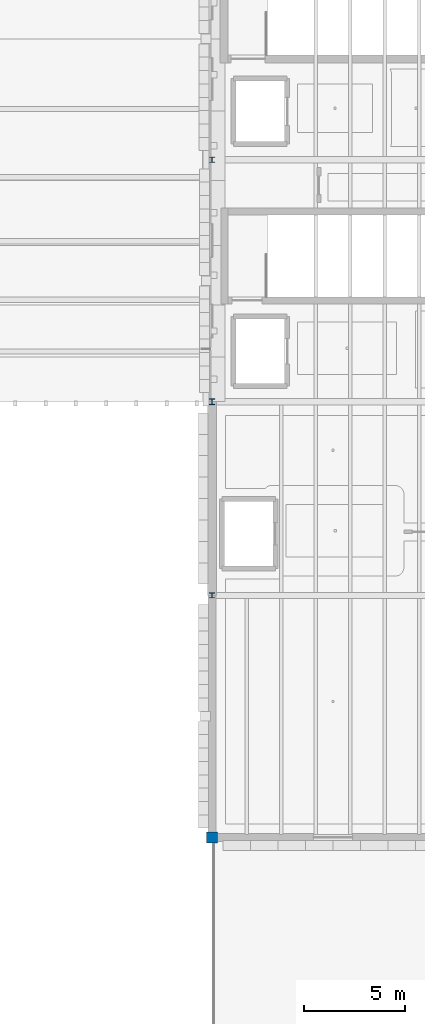
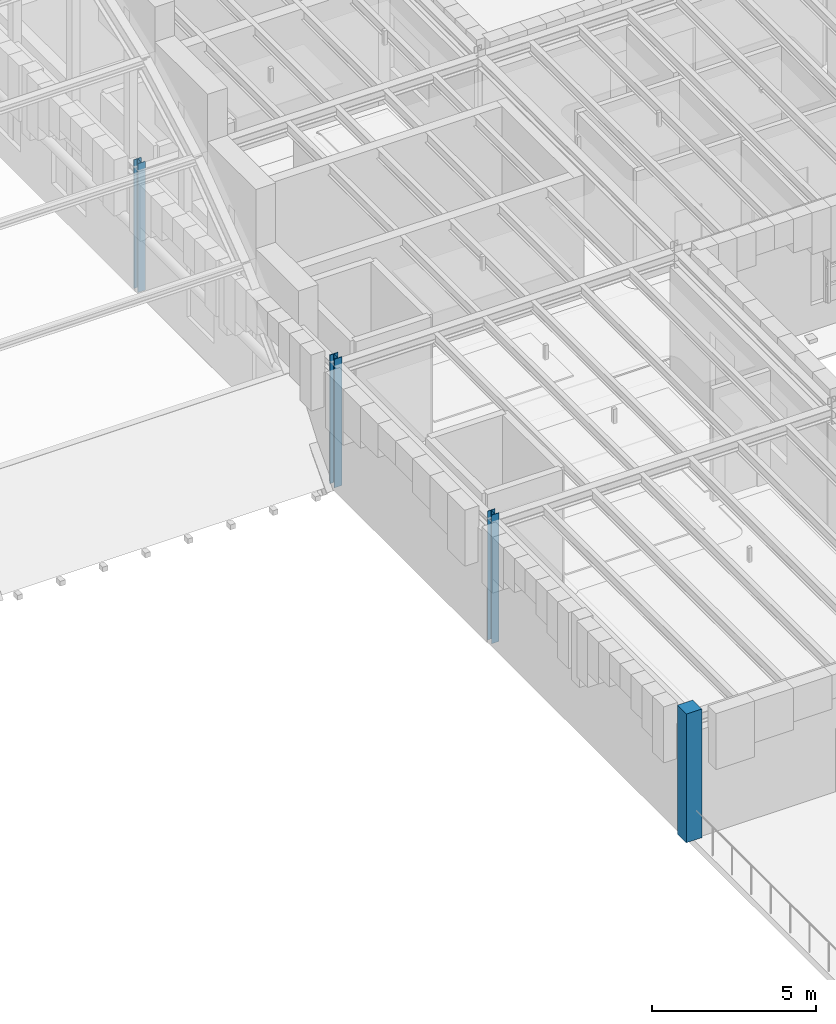
# One storey, part 1 of 35: 4 columns.
"""IFC4 building model written with IfcOpenShell, lengths in metres."""

from ifc_helpers import new_model, si_unit, direction, frame, origin, origin_2d, place, context, subcontext, project, spatial, rectangle, i_section, extrude, material, material_profile, profile_set, type_object, element, save


model = new_model("IFC4")

# Units and contexts
model_context = context("Model", 3, precision=1e-05, world=origin(), true_north=direction((0.0, 1.0)))
body_context = subcontext(model_context, "Body", "Model", "MODEL_VIEW")
ifc_project = project(units=[si_unit("LENGTHUNIT", "METRE"), si_unit("AREAUNIT", "SQUARE_METRE"), si_unit("VOLUMEUNIT", "CUBIC_METRE"), si_unit("PLANEANGLEUNIT", "RADIAN"), si_unit("MASSUNIT", "GRAM", prefix="KILO")], contexts=[model_context])

# Site, building, storey
site_placement = place(None, origin())
site = spatial("IfcSite", under=ifc_project, at=site_placement, CompositionType="ELEMENT")
building_placement = place(site_placement, origin())
building = spatial("IfcBuilding", under=site, at=building_placement, Name="Zlatogorsky Bluff Art Gallery", CompositionType="ELEMENT")
storey_placement = place(building_placement, frame((0.0, 0.0, 23.39990234375)))
storey = spatial("IfcBuildingStorey", under=building, at=storey_placement, Name="L04", CompositionType="ELEMENT", Elevation=23.39990234375)

# Columns
ifc_material_1 = material(Name="Steel S355", Category="steel")
ifc_material_profile_1 = material_profile(ifc_material_1, i_section(OverallWidth=0.280029296875, OverallDepth=0.280029296875, WebThickness=0.010498046875, FlangeThickness=0.01806640625, FilletRadius=0.02392578125, at=origin_2d()), Name="HEB 280")
ifc_profile_set_1 = profile_set([ifc_material_profile_1], Name="Steel S355")
column_type_1 = type_object("IfcColumnType", Name="Column CL-07 HEB 280", PredefinedType="COLUMN", material=ifc_profile_set_1)
column_1_placement = place(storey_placement, frame((120.0, 84.0, 0.0), z_axis=(0.0, 0.0, 1.0), x_axis=(1.0, 0.0, 0.0)))
element("IfcColumn", 1, at=column_1_placement, inside=storey, type_object=column_type_1, Name="Column CL-07 L04 L9", PredefinedType="COLUMN", context=body_context, shape_type="SweptSolid", body=[
    extrude(i_section(OverallWidth=0.280029296875, OverallDepth=0.280029296875, WebThickness=0.010498046875, FlangeThickness=0.01806640625, FilletRadius=0.02392578125, at=origin_2d()), origin(), (0.0, 0.0, 1.0), 4.800048828125),
])
ifc_material_profile_2 = material_profile(ifc_material_1, i_section(OverallWidth=0.260009765625, OverallDepth=0.260009765625, WebThickness=0.010009765625, FlangeThickness=0.017578125, FilletRadius=0.02392578125, at=origin_2d()), Name="HEB 260")
ifc_profile_set_2 = profile_set([ifc_material_profile_2], Name="Steel S355")
column_type_2 = type_object("IfcColumnType", Name="Column CL-08 HEB 260", PredefinedType="COLUMN", material=ifc_profile_set_2)
for number, where, z_axis, x_axis, name in (
    (2, (120.0, 74.39990234375, 0.0), (0.0, 0.0, 1.0), (1.0, 0.0, 0.0), "Column CL-08 L04 L8"),
    (3, (120.0, 96.0, 0.0), (0.0, 0.0, 1.0), (1.0, 0.0, 0.0), "Column CL-08 L04 L10"),
):
    element("IfcColumn", number, at=place(storey_placement, frame(where, z_axis=z_axis, x_axis=x_axis)), inside=storey, type_object=column_type_2, Name=name, PredefinedType="COLUMN", context=body_context, shape_type="SweptSolid", body=[
        extrude(i_section(OverallWidth=0.260009765625, OverallDepth=0.260009765625, WebThickness=0.010009765625, FlangeThickness=0.017578125, FilletRadius=0.02392578125, at=origin_2d()), origin(), (0.0, 0.0, 1.0), 4.800048828125),
    ])
ifc_material_2 = material(Name="Concrete C35/45", Category="concrete")
ifc_material_profile_3 = material_profile(ifc_material_2, rectangle(XDim=0.550048828125, YDim=0.550048828125, at=origin_2d()), Name="RC 550x550")
ifc_profile_set_3 = profile_set([ifc_material_profile_3], Name="Concrete C35/45")
column_type_3 = type_object("IfcColumnType", Name="Column CL-16 RC 550x550", PredefinedType="COLUMN", material=ifc_profile_set_3)
column_2_placement = place(storey_placement, frame((120.0, 62.39990234375, 0.0), z_axis=(0.0, 0.0, 1.0), x_axis=(1.0, 0.0, 0.0)))
element("IfcColumn", 4, at=column_2_placement, inside=storey, type_object=column_type_3, Name="Column CL-16 L04 L7", PredefinedType="COLUMN", context=body_context, shape_type="SweptSolid", body=[
    extrude(rectangle(XDim=0.550048828125, YDim=0.550048828125, at=origin_2d()), origin(), (0.0, 0.0, 1.0), 4.800048828125),
])

save(model, "model.ifc")
